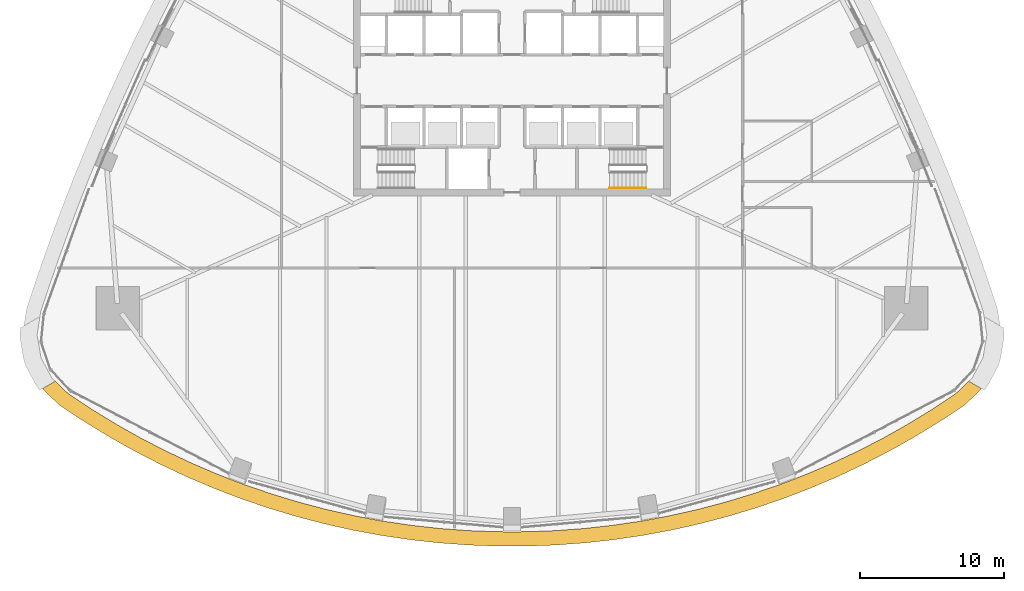
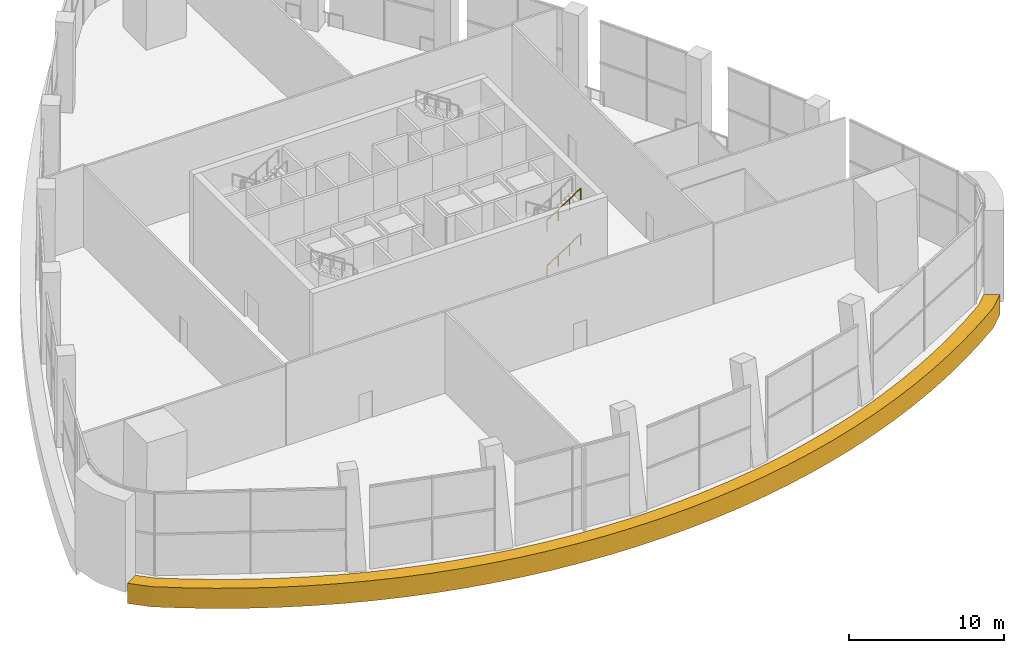
# One storey, part 18 of 23: 2 railings, 1 covering.
"""IFC4 building model written with IfcOpenShell, lengths in metres."""

from ifc_helpers import new_model, si_unit, direction, frame, origin, origin_2d, place, context, subcontext, project, spatial, polyline, circle, outline, extrude, material, layer, layer_set, type_object, element, save


model = new_model("IFC4")

# Units and contexts
model_context = context("Model", 3, precision=1e-05, world=origin(), true_north=direction((0.0, 1.0)))
body_context = subcontext(model_context, "Body", "Model", "MODEL_VIEW")
ifc_project = project(units=[si_unit("LENGTHUNIT", "METRE"), si_unit("AREAUNIT", "SQUARE_METRE"), si_unit("VOLUMEUNIT", "CUBIC_METRE"), si_unit("PLANEANGLEUNIT", "RADIAN"), si_unit("MASSUNIT", "GRAM", prefix="KILO")], contexts=[model_context])

# Site, building, storey
site_placement = place(None, origin())
site = spatial("IfcSite", under=ifc_project, at=site_placement, CompositionType="ELEMENT")
building_placement = place(site_placement, origin())
building = spatial("IfcBuilding", under=site, at=building_placement, Name="Sierra Prisma Convention Tower", CompositionType="ELEMENT")
storey_placement = place(building_placement, frame((0.0, 0.0, 40.800048828125)))
storey = spatial("IfcBuildingStorey", under=building, at=storey_placement, Name="L06", CompositionType="ELEMENT", Elevation=40.800048828125)

# Covering
ifc_material_1 = material(Name="Aluminium composite bronze anodised", Category="aluminium")
ifc_layer = layer(ifc_material_1, 1.0)
ifc_layer_set = layer_set([ifc_layer], Name="Bronze spandrel band")
covering_type = type_object("IfcCoveringType", Name="Bronze spandrel band", PredefinedType="CLADDING", material=ifc_layer_set)
covering_placement = place(storey_placement, frame((0.0, 0.0, -1.60009765625)))
element("IfcCovering", 1, at=covering_placement, inside=storey, type_object=covering_type, Name="Spandrel band L06.2", PredefinedType="CLADDING", context=body_context, shape_type="SweptSolid", body=[
    extrude(outline(polyline([(-19.66357421875, -27.613525390625), (-18.540283203125, -28.0361328125), (-18.53564453125, -28.03759765625), (-18.531005859375, -28.038818359375), (-18.52587890625, -28.039306640625), (-18.52099609375, -28.039306640625), (-18.519775390625, -28.039306640625), (-18.474853515625, -28.056396484375), (-16.59716796875, -28.697998046875), (-14.697265625, -29.270751953125), (-12.777587890625, -29.7734375), (-10.8408203125, -30.20556640625), (-10.191650390625, -30.32568359375), (-10.188720703125, -30.3291015625), (-10.184814453125, -30.33251953125), (-10.180908203125, -30.33544921875), (-10.176513671875, -30.337890625), (-10.171875, -30.340087890625), (-10.1669921875, -30.341796875), (-10.162109375, -30.3427734375), (-8.98095703125, -30.5546875), (-8.976318359375, -30.55517578125), (-8.97119140625, -30.555419921875), (-8.96630859375, -30.554931640625), (-8.96142578125, -30.55419921875), (-8.959228515625, -30.5537109375), (-8.8896484375, -30.56640625), (-6.926513671875, -30.85595703125), (-4.9541015625, -31.0732421875), (-2.97509765625, -31.21826171875), (-0.9921875, -31.291015625), (-0.628662109375, -31.291015625), (-0.627685546875, -31.29150390625), (-0.62353515625, -31.294189453125), (-0.619140625, -31.296142578125), (-0.614501953125, -31.2978515625), (-0.60986328125, -31.299072265625), (-0.60498046875, -31.2998046875), (-0.60009765625, -31.300048828125), (0.60009765625, -31.300048828125), (0.60498046875, -31.2998046875), (0.60986328125, -31.299072265625), (0.614501953125, -31.2978515625), (0.619140625, -31.296142578125), (0.62353515625, -31.294189453125), (0.627685546875, -31.29150390625), (0.628662109375, -31.291015625), (0.9921875, -31.291015625), (2.97509765625, -31.21826171875), (4.9541015625, -31.0732421875), (6.926513671875, -30.85595703125), (8.8896484375, -30.56640625), (8.959228515625, -30.5537109375), (8.96142578125, -30.55419921875), (8.96630859375, -30.554931640625), (8.97119140625, -30.555419921875), (8.976318359375, -30.55517578125), (8.98095703125, -30.5546875), (10.162109375, -30.3427734375), (10.1669921875, -30.341796875), (10.171875, -30.340087890625), (10.176513671875, -30.337890625), (10.180908203125, -30.33544921875), (10.184814453125, -30.33251953125), (10.188720703125, -30.3291015625), (10.191650390625, -30.32568359375), (10.8408203125, -30.20556640625), (12.777587890625, -29.7734375), (14.697265625, -29.270751953125), (16.59716796875, -28.697998046875), (18.474853515625, -28.056396484375), (18.519775390625, -28.039306640625), (18.52099609375, -28.039306640625), (18.52587890625, -28.039306640625), (18.531005859375, -28.038818359375), (18.53564453125, -28.03759765625), (18.540283203125, -28.0361328125), (19.66357421875, -27.613525390625), (19.66796875, -27.611572265625), (19.672119140625, -27.609130859375), (19.67626953125, -27.6064453125), (19.679931640625, -27.603271484375), (19.683349609375, -27.599853515625), (19.686279296875, -27.59619140625), (19.68896484375, -27.592041015625), (19.689453125, -27.591064453125), (20.327880859375, -27.346435546875), (22.153564453125, -26.569091796875), (23.94970703125, -25.7255859375), (25.7138671875, -24.817138671875), (27.443603515625, -23.844482421875), (29.136474609375, -22.809326171875), (30.790283203125, -21.712890625), (31.692138671875, -20.849365234375), (32.593994140625, -21.3701171875), (31.48193359375, -22.43505859375), (31.3427734375, -22.54638671875), (29.68896484375, -23.642822265625), (29.658203125, -23.662353515625), (27.965087890625, -24.697509765625), (27.93359375, -24.716064453125), (26.2041015625, -25.688720703125), (26.171630859375, -25.7060546875), (24.40771484375, -26.61474609375), (24.374755859375, -26.630859375), (22.57861328125, -27.474365234375), (22.54541015625, -27.4892578125), (20.719482421875, -28.2666015625), (20.685546875, -28.2802734375), (18.832763671875, -28.990234375), (18.79833984375, -29.002685546875), (16.92041015625, -29.644287109375), (16.8857421875, -29.655517578125), (14.98583984375, -30.228271484375), (14.95068359375, -30.238037109375), (13.031005859375, -30.74072265625), (12.995361328125, -30.74951171875), (11.05859375, -31.181396484375), (11.022705078125, -31.188720703125), (9.071533203125, -31.5498046875), (9.035400390625, -31.555908203125), (7.072509765625, -31.84521484375), (7.0361328125, -31.849853515625), (5.063720703125, -32.067138671875), (5.02734375, -32.070556640625), (3.04833984375, -32.2158203125), (3.01171875, -32.2177734375), (1.02880859375, -32.290283203125), (0.9921875, -32.291015625), (-0.9921875, -32.291015625), (-1.02880859375, -32.290283203125), (-3.01171875, -32.2177734375), (-3.04833984375, -32.2158203125), (-5.02734375, -32.070556640625), (-5.063720703125, -32.067138671875), (-7.0361328125, -31.849853515625), (-7.072509765625, -31.84521484375), (-9.035400390625, -31.555908203125), (-9.071533203125, -31.5498046875), (-11.022705078125, -31.188720703125), (-11.05859375, -31.181396484375), (-12.995361328125, -30.74951171875), (-13.031005859375, -30.74072265625), (-14.95068359375, -30.238037109375), (-14.98583984375, -30.228271484375), (-16.8857421875, -29.655517578125), (-16.92041015625, -29.644287109375), (-18.79833984375, -29.002685546875), (-18.832763671875, -28.990234375), (-20.685546875, -28.2802734375), (-20.719482421875, -28.2666015625), (-22.54541015625, -27.4892578125), (-22.57861328125, -27.474365234375), (-24.374755859375, -26.630859375), (-24.40771484375, -26.61474609375), (-26.171630859375, -25.7060546875), (-26.2041015625, -25.688720703125), (-27.93359375, -24.716064453125), (-27.965087890625, -24.697509765625), (-29.658203125, -23.662353515625), (-29.68896484375, -23.642822265625), (-31.3427734375, -22.54638671875), (-31.48193359375, -22.43505859375), (-32.593994140625, -21.3701171875), (-31.692138671875, -20.849365234375), (-30.790283203125, -21.712890625), (-29.136474609375, -22.809326171875), (-27.443603515625, -23.844482421875), (-25.7138671875, -24.817138671875), (-23.94970703125, -25.7255859375), (-22.153564453125, -26.569091796875), (-20.327880859375, -27.346435546875), (-19.689453125, -27.591064453125), (-19.68896484375, -27.592041015625), (-19.686279296875, -27.59619140625), (-19.683349609375, -27.599853515625), (-19.679931640625, -27.603271484375), (-19.67626953125, -27.6064453125), (-19.672119140625, -27.609130859375), (-19.66796875, -27.611572265625), (-19.66357421875, -27.613525390625)])), origin(), (0.0, 0.0, 1.0), 1.60009765625),
])

# Railings
ifc_material_2 = material(Name="Stainless steel", Category="steel")
railing_type = type_object("IfcRailingType", Name="Exit stair handrail", PredefinedType="HANDRAIL", material=ifc_material_2)
railing_1_placement = place(storey_placement, frame((6.780029296875, -7.449951171875, 1.97998046875)))
element("IfcRailing", 2, at=railing_1_placement, inside=storey, type_object=railing_type, Name="L06 S2 stair handrail 2", PredefinedType="HANDRAIL", context=body_context, shape_type="SweptSolid", body=[
    extrude(circle(Radius=0.02392578125, at=origin_2d()), frame((0.0, 0.0, 0.8759765625), z_axis=(0.841199657755, 0.0, 0.540724639528), x_axis=(0.0, 1.0, 0.0)), (0.0, 0.0, 1.0), 2.995849609375),
    extrude(circle(Radius=0.02099609375, at=origin_2d()), origin(), (0.0, 0.0, 1.0), 0.851806640625),
    extrude(circle(Radius=0.02099609375, at=origin_2d()), frame((0.840087890625, 0.0, 0.5400390625)), (0.0, 0.0, 1.0), 0.851806640625),
    extrude(circle(Radius=0.02099609375, at=origin_2d()), frame((1.679931640625, 0.0, 1.079833984375)), (0.0, 0.0, 1.0), 0.851806640625),
    extrude(circle(Radius=0.02099609375, at=origin_2d()), frame((2.52001953125, 0.0, 1.619873046875)), (0.0, 0.0, 1.0), 0.851806640625),
])
railing_2_placement = place(storey_placement, frame((6.780029296875, -7.449951171875, 5.579833984375)))
element("IfcRailing", 3, at=railing_2_placement, inside=storey, type_object=railing_type, Name="L06 S2 stair handrail 4", PredefinedType="HANDRAIL", context=body_context, shape_type="SweptSolid", body=[
    extrude(circle(Radius=0.02392578125, at=origin_2d()), frame((0.0, 0.0, 0.8759765625), z_axis=(0.841162588446, 0.0, 0.540782303519), x_axis=(0.0, 1.0, 0.0)), (0.0, 0.0, 1.0), 2.995849609375),
    extrude(circle(Radius=0.02099609375, at=origin_2d()), origin(), (0.0, 0.0, 1.0), 0.851806640625),
    extrude(circle(Radius=0.02099609375, at=origin_2d()), frame((0.840087890625, 0.0, 0.5400390625)), (0.0, 0.0, 1.0), 0.851806640625),
    extrude(circle(Radius=0.02099609375, at=origin_2d()), frame((1.679931640625, 0.0, 1.080078125)), (0.0, 0.0, 1.0), 0.851806640625),
    extrude(circle(Radius=0.02099609375, at=origin_2d()), frame((2.52001953125, 0.0, 1.6201171875)), (0.0, 0.0, 1.0), 0.851806640625),
])

save(model, "model.ifc")
